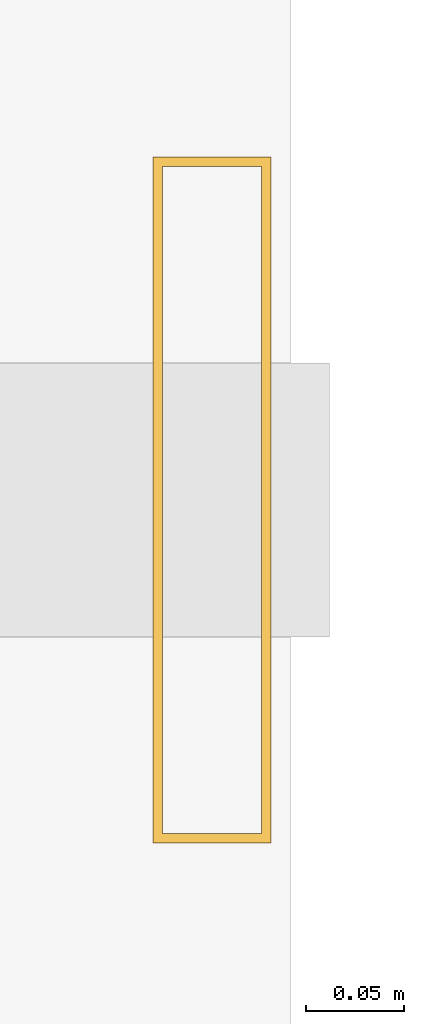
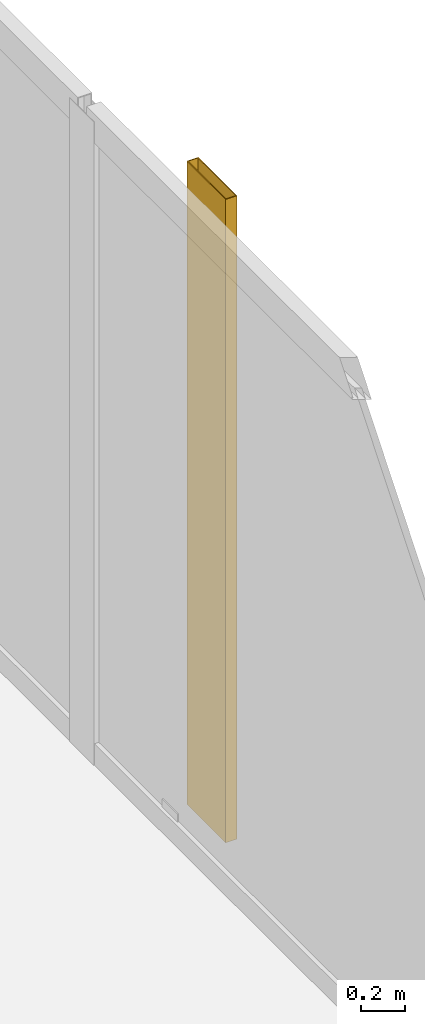
# One storey, part 27 of 27: 1 shading device.
"""IFC4 building model written with IfcOpenShell, lengths in metres."""

from ifc_helpers import new_model, si_unit, direction, frame, origin, origin_2d, place, context, subcontext, project, spatial, hollow_rectangle, extrude, material, material_profile, profile_set, type_object, element, save


model = new_model("IFC4")

# Units and contexts
model_context = context("Model", 3, precision=1e-05, world=origin(), true_north=direction((0.0, 1.0)))
body_context = subcontext(model_context, "Body", "Model", "MODEL_VIEW")
ifc_project = project(units=[si_unit("LENGTHUNIT", "METRE"), si_unit("AREAUNIT", "SQUARE_METRE"), si_unit("VOLUMEUNIT", "CUBIC_METRE"), si_unit("PLANEANGLEUNIT", "RADIAN"), si_unit("MASSUNIT", "GRAM", prefix="KILO")], contexts=[model_context])

# Site, building, storey
site_placement = place(None, origin())
site = spatial("IfcSite", under=ifc_project, at=site_placement, CompositionType="ELEMENT")
building_placement = place(site_placement, origin())
building = spatial("IfcBuilding", under=site, at=building_placement, Name="Kolvaren Waterfront Exchange", CompositionType="ELEMENT")
storey_placement = place(building_placement, frame((0.0, 0.0, 33.39990234375)))
storey = spatial("IfcBuildingStorey", under=building, at=storey_placement, Name="L08", CompositionType="ELEMENT", Elevation=33.39990234375)

# Shading device
ifc_material = material(Name="Anodised bronze aluminium 6063-T6", Category="aluminium")
ifc_material_profile = material_profile(ifc_material, hollow_rectangle(XDim=0.06005859375, YDim=0.35009765625, WallThickness=0.0048828125, at=origin_2d()), Name="BRZ-FIN-350x60x5")
ifc_profile_set = profile_set([ifc_material_profile], Name="Anodised bronze aluminium 6063-T6")
shading_device_type = type_object("IfcShadingDeviceType", Name="ARC-FIN-350", PredefinedType="USERDEFINED", material=ifc_profile_set)
shading_device_placement = place(storey_placement, frame((25.56005859375, 35.199951171875, 0.0), z_axis=(0.0, 0.0, 1.0), x_axis=(1.0, 0.0, 0.0)))
element("IfcShadingDevice", 1, at=shading_device_placement, inside=storey, type_object=shading_device_type, Name="L08 anodised bronze solar shading fin FIN-L08-E3", ObjectType="SOLAR FIN", PredefinedType="USERDEFINED", context=body_context, shape_type="SweptSolid", body=[
    extrude(hollow_rectangle(XDim=0.06005859375, YDim=0.35009765625, WallThickness=0.0048828125, at=origin_2d()), origin(), (0.0, 0.0, 1.0), 3.5400390625),
])

save(model, "model.ifc")
